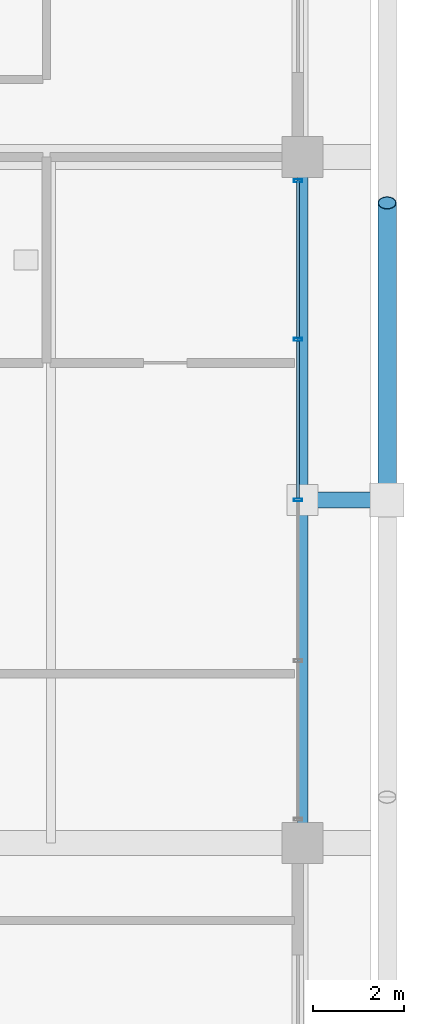
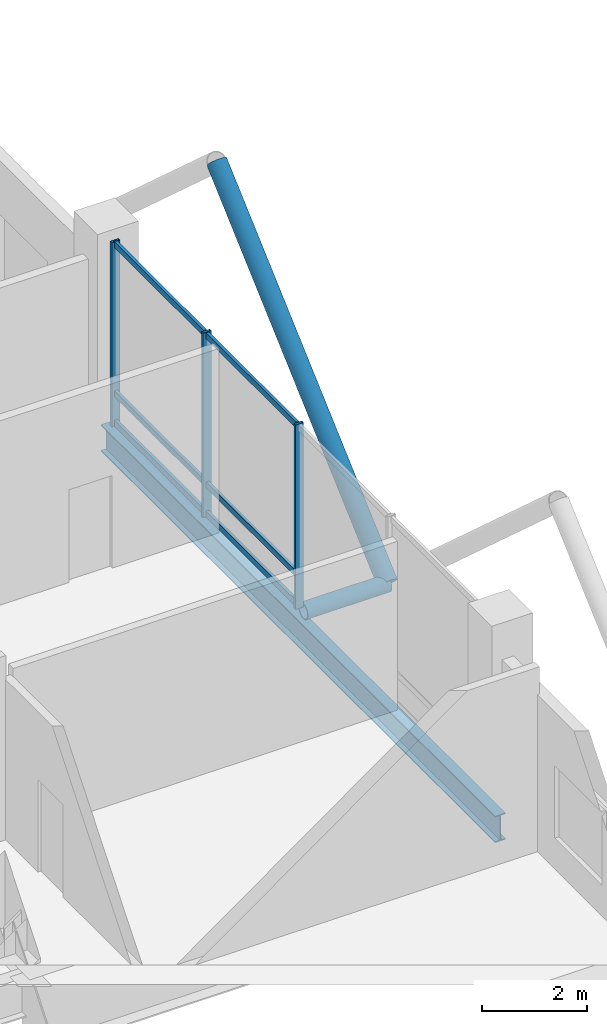
# One storey, part 14 of 27: 11 members, 1 beam, 1 element without a shape of its own.
"""IFC4 building model written with IfcOpenShell, lengths in metres."""

import ifcopenshell
import ifcopenshell.guid

model = None  # the IFC model being written
_history = None  # IfcOwnerHistory: only IFC2X3 demands one
_inside = {}  # id of a spatial element -> (the spatial element, [elements in it])
_under = {}  # id of a project, library or spatial element -> (it, [spatial elements below it])
_declared = {}  # id of a project -> (the project, [libraries it declares])
_typed = {}  # id of a type object -> (the type object, [elements of that type])
_made_of = {}  # id of a material, layer set ... -> (it, [elements and type objects made of it])


def new_model(schema):
    """Start an empty IFC model of exactly this schema.

    Asked for "IFC4X3", IfcOpenShell would pick the latest addendum, in which some entities
    have other attributes; the version numbers below select the first issue.
    IFC2X3 requires an IfcOwnerHistory on every rooted entity: one is made here for all.
    """
    global model, _history
    if schema == "IFC4X3":
        model = ifcopenshell.file(schema_version=(4, 3, 0, 0))
    else:
        model = ifcopenshell.file(schema=schema)
    _inside.clear()
    _under.clear()
    _declared.clear()
    _typed.clear()
    _made_of.clear()
    _history = None
    if model.schema == "IFC2X3":
        org = make("IfcOrganization", Name="unknown")
        user = make(
            "IfcPersonAndOrganization",
            ThePerson=make("IfcPerson", FamilyName="unknown"),
            TheOrganization=org,
        )
        app = make(
            "IfcApplication",
            ApplicationDeveloper=org,
            Version="unknown",
            ApplicationFullName="unknown",
            ApplicationIdentifier="unknown",
        )
        _history = make(
            "IfcOwnerHistory",
            OwningUser=user,
            OwningApplication=app,
            ChangeAction="ADDED",
            CreationDate=0,
        )
    return model


def make(cls, **values):
    """One entity of the class cls with the attributes given. An attribute that is None is left unset."""
    return model.create_entity(
        cls, **{name: value for name, value in values.items() if value is not None}
    )


def rooted(cls, **values):
    """An entity with a GlobalId (a new one), such as an element, a storey or a relation."""
    return make(cls, GlobalId=ifcopenshell.guid.new(), OwnerHistory=_history, **values)


def si_unit(unit_type, name, prefix=None):
    """IfcSIUnit, for example si_unit("LENGTHUNIT", "METRE", prefix="MILLI")."""
    return make("IfcSIUnit", UnitType=unit_type, Prefix=prefix, Name=name)


def assignment(units):
    """IfcUnitAssignment: the units of a project."""
    return None if units is None else make("IfcUnitAssignment", Units=units)


def point(xyz):
    """IfcCartesianPoint."""
    return None if xyz is None else make("IfcCartesianPoint", Coordinates=xyz)


def direction(xyz):
    """IfcDirection."""
    return None if xyz is None else make("IfcDirection", DirectionRatios=xyz)


def frame(location, z_axis=None, x_axis=None):
    """IfcAxis2Placement3D, a coordinate frame: its origin and axes. An axis left out is left unset."""
    return make(
        "IfcAxis2Placement3D",
        Location=point(location),
        Axis=direction(z_axis),
        RefDirection=direction(x_axis),
    )


def frame_2d(location, x_axis=None):
    """IfcAxis2Placement2D, a coordinate frame in the plane: its origin and x axis."""
    return make(
        "IfcAxis2Placement2D", Location=point(location), RefDirection=direction(x_axis)
    )


def origin():
    """The frame at (0, 0, 0) with its axes left unset."""
    return frame((0.0, 0.0, 0.0))


def origin_2d():
    """The frame at (0, 0) in the plane with its x axis left unset."""
    return frame_2d((0.0, 0.0))


def place(relative_to, where):
    """IfcLocalPlacement: puts the frame where relative to a parent placement (None: the world)."""
    return make(
        "IfcLocalPlacement", PlacementRelTo=relative_to, RelativePlacement=where
    )


def context(
    kind, dimensions, precision=None, world=None, true_north=None, identifier=None
):
    """IfcGeometricRepresentationContext, for example the 3D "Model" context."""
    return make(
        "IfcGeometricRepresentationContext",
        ContextIdentifier=identifier,
        ContextType=kind,
        CoordinateSpaceDimension=dimensions,
        Precision=precision,
        WorldCoordinateSystem=world,
        TrueNorth=true_north,
    )


def subcontext(parent, identifier, kind, view, scale=None):
    """IfcGeometricRepresentationSubContext, for example "Body" below "Model"."""
    return make(
        "IfcGeometricRepresentationSubContext",
        ContextIdentifier=identifier,
        ContextType=kind,
        ParentContext=parent,
        TargetScale=scale,
        TargetView=view,
    )


def project(units=None, contexts=None):
    """IfcProject with its units and contexts."""
    return rooted(
        "IfcProject",
        Name="project",
        RepresentationContexts=contexts,
        UnitsInContext=assignment(units),
    )


def spatial(cls, under=None, at=None, **own):
    """A site, building, storey or space (cls), placed at a placement, below another one or the project."""
    s = rooted(cls, ObjectPlacement=at, **own)
    if under is not None:
        _under.setdefault(under.id(), (under, []))[1].append(s)
    return s


def profile(cls, at=None, kind="AREA", **sizes):
    """A parametric profile (cls). Its sizes go by their IFC names, for example OverallWidth=200.0."""
    return make(cls, ProfileType=kind, Position=at, **sizes)


def hollow_rectangle(**sizes):
    """IfcRectangleHollowProfileDef."""
    return profile("IfcRectangleHollowProfileDef", **sizes)


def hollow_circle(**sizes):
    """IfcCircleHollowProfileDef."""
    return profile("IfcCircleHollowProfileDef", **sizes)


def i_section(**sizes):
    """IfcIShapeProfileDef."""
    return profile("IfcIShapeProfileDef", **sizes)


def extrude(swept, where, along, depth):
    """IfcExtrudedAreaSolid: the profile swept, set in the frame where, extruded along a direction by depth."""
    return make(
        "IfcExtrudedAreaSolid",
        SweptArea=swept,
        Position=where,
        ExtrudedDirection=direction(along),
        Depth=depth,
    )


def shape(context_of_items, identifier, shape_type, items):
    """IfcShapeRepresentation: the items that make up one representation, for example the "Body"."""
    return make(
        "IfcShapeRepresentation",
        ContextOfItems=context_of_items,
        RepresentationIdentifier=identifier,
        RepresentationType=shape_type,
        Items=items,
    )


def material(Name=None, Category=None):
    """IfcMaterial."""
    return make("IfcMaterial", Name=Name, Category=Category)


def layer(
    of_material, thickness, ventilated=None, Name=None, Category=None, Priority=None
):
    """IfcMaterialLayer: one layer of a wall or slab, of a material (None: an air gap)."""
    return make(
        "IfcMaterialLayer",
        Material=of_material,
        LayerThickness=thickness,
        IsVentilated=ventilated,
        Name=Name,
        Category=Category,
        Priority=Priority,
    )


def layer_set(layers, Name=None):
    """IfcMaterialLayerSet."""
    return make("IfcMaterialLayerSet", MaterialLayers=layers, LayerSetName=Name)


def material_profile(
    of_material, cross_section, Name=None, Category=None, Priority=None
):
    """IfcMaterialProfile: a cross section and its material."""
    return make(
        "IfcMaterialProfile",
        Name=Name,
        Material=of_material,
        Profile=cross_section,
        Priority=Priority,
        Category=Category,
    )


def profile_set(profiles, Name=None, composite=None):
    """IfcMaterialProfileSet."""
    return make(
        "IfcMaterialProfileSet",
        Name=Name,
        MaterialProfiles=profiles,
        CompositeProfile=composite,
    )


def made_of(thing, what):
    """Note that an element or type object is made of a material, layer set ...; save() writes the relation."""
    if what is not None:
        _made_of.setdefault(what.id(), (what, []))[1].append(thing)
    return thing


def type_object(cls, material=None, **own):
    """A type object (cls), such as IfcWallType, which elements share."""
    return made_of(rooted(cls, **own), material)


def element(
    cls,
    number,
    at=None,
    inside=None,
    cuts=None,
    type_object=None,
    material=None,
    context=None,
    identifier="Body",
    shape_type=None,
    held_by="IfcProductDefinitionShape",
    body=None,
    shapes=None,
    **own,
):
    """One element of the class cls, such as IfcWall. Its Tag is "e" and its number.

    at: its placement. inside: the storey or other place that contains it. cuts: it is an
    opening in that element (IfcRelVoidsElement). A single representation is given by context,
    identifier, shape_type and body (its items); several are given by shapes. held_by: the class
    of the entity that holds the representations. save() writes the other relations.
    """
    e = rooted(cls, Tag="e%d" % number, ObjectPlacement=at, **own)
    if body is not None:
        shapes = [shape(context, identifier, shape_type, body)]
    if shapes is not None:
        e.Representation = make(held_by, Representations=shapes)
    if inside is not None:
        _inside.setdefault(inside.id(), (inside, []))[1].append(e)
    if cuts is not None:
        rooted(
            "IfcRelVoidsElement", RelatingBuildingElement=cuts, RelatedOpeningElement=e
        )
    if type_object is not None:
        _typed.setdefault(type_object.id(), (type_object, []))[1].append(e)
    return made_of(e, material)


def aggregate(whole, parts):
    """IfcRelAggregates: a whole, such as a stair, and the parts it consists of."""
    return rooted("IfcRelAggregates", RelatingObject=whole, RelatedObjects=parts)


def save(model, path):
    """Write the relations noted so far, then the file.

    IfcRelAggregates (storeys below a building ...), IfcRelContainedInSpatialStructure (elements
    in a storey), IfcRelDefinesByType, IfcRelAssociatesMaterial and IfcRelDeclares: one each for
    every whole, place, type object, material and project.
    """
    for whole, parts in _under.values():
        aggregate(whole, parts)
    for where, things in _inside.values():
        rooted(
            "IfcRelContainedInSpatialStructure",
            RelatedElements=things,
            RelatingStructure=where,
        )
    for kind, things in _typed.values():
        rooted("IfcRelDefinesByType", RelatedObjects=things, RelatingType=kind)
    for what, things in _made_of.values():
        rooted("IfcRelAssociatesMaterial", RelatedObjects=things, RelatingMaterial=what)
    for by, libraries in _declared.values():
        rooted("IfcRelDeclares", RelatingContext=by, RelatedDefinitions=libraries)
    model.write(path)


model = new_model("IFC4")

# Units and contexts
model_context = context("Model", 3, precision=1e-05, world=origin(), true_north=direction((0.0, 1.0)))
body_context = subcontext(model_context, "Body", "Model", "MODEL_VIEW")
ifc_project = project(units=[si_unit("LENGTHUNIT", "METRE"), si_unit("AREAUNIT", "SQUARE_METRE"), si_unit("VOLUMEUNIT", "CUBIC_METRE"), si_unit("PLANEANGLEUNIT", "RADIAN"), si_unit("MASSUNIT", "GRAM", prefix="KILO")], contexts=[model_context])

# Site, building, storey
site_placement = place(None, origin())
site = spatial("IfcSite", under=ifc_project, at=site_placement, CompositionType="ELEMENT")
building_placement = place(site_placement, origin())
building = spatial("IfcBuilding", under=site, at=building_placement, Name="Barlavira Tower and Art Museum", CompositionType="ELEMENT")
storey_placement = place(building_placement, frame((0.0, 0.0, 217.800048828125)))
storey = spatial("IfcBuildingStorey", under=building, at=storey_placement, Name="L56", CompositionType="ELEMENT", Elevation=217.800048828125)

# Curtain wall, members
ifc_material_1 = material(Name="Low-iron coastal laminated glass", Category="glass")
ifc_layer = layer(ifc_material_1, 0.2099609375, Name="Low-iron coastal laminated glass")
ifc_layer_set = layer_set([ifc_layer], Name="Low-iron coastal laminated glass")
curtain_wall_type = type_object("IfcCurtainWallType", Name="Pale-Metal Unitised Curtain Wall Zone 4", PredefinedType="NOTDEFINED", material=ifc_layer_set)
curtain_wall_placement = place(storey_placement, origin())
curtain_wall = element("IfcCurtainWall", 1, at=curtain_wall_placement, inside=storey, type_object=curtain_wall_type, Name="L56 Curtain Wall CW4-L56-E-B3", PredefinedType="NOTDEFINED")
ifc_material_2 = material(Name="Pale anodised aluminium", Category="aluminium")
ifc_material_profile_1 = material_profile(ifc_material_2, hollow_rectangle(XDim=0.06494140625, YDim=0.179931640625, WallThickness=0.00390625, at=origin_2d()), Name="ALU-MULL 65x180x4")
ifc_profile_set_1 = profile_set([ifc_material_profile_1], Name="Pale anodised aluminium")
member_type_1 = type_object("IfcMemberType", Name="Curtain Wall Pale-Metal Mullion 65x180", PredefinedType="MULLION", material=ifc_profile_set_1)
member_1_placement = place(storey_placement, frame((16.89990234375, 0.0, 0.0), z_axis=(0.0, 0.0, 1.0), x_axis=(0.0, 1.0, 0.0)))
member_1 = element("IfcMember", 2, at=member_1_placement, type_object=member_type_1, Name="CW4-L56-E-B3 Mullion 2", PredefinedType="MULLION", context=body_context, shape_type="SweptSolid", body=[
    extrude(hollow_rectangle(XDim=0.06494140625, YDim=0.179931640625, WallThickness=0.00390625, at=origin_2d()), origin(), (0.0, 0.0, 1.0), 4.280029296875),
])
member_2_placement = place(storey_placement, frame((16.89990234375, 3.514892578125, 0.0), z_axis=(0.0, 0.0, 1.0), x_axis=(0.0, 1.0, 0.0)))
member_2 = element("IfcMember", 3, at=member_2_placement, type_object=member_type_1, Name="CW4-L56-E-B3 Mullion 3", PredefinedType="MULLION", context=body_context, shape_type="SweptSolid", body=[
    extrude(hollow_rectangle(XDim=0.06494140625, YDim=0.179931640625, WallThickness=0.00390625, at=origin_2d()), origin(), (0.0, 0.0, 1.0), 4.280029296875),
])
member_3_placement = place(storey_placement, frame((16.89990234375, 6.985107421875, 0.0), z_axis=(0.0, 0.0, 1.0), x_axis=(0.0, 1.0, 0.0)))
member_3 = element("IfcMember", 4, at=member_3_placement, type_object=member_type_1, Name="CW4-L56-E-B3 Mullion 4", PredefinedType="MULLION", context=body_context, shape_type="SweptSolid", body=[
    extrude(hollow_rectangle(XDim=0.06494140625, YDim=0.179931640625, WallThickness=0.00390625, at=origin_2d()), origin(), (0.0, 0.0, 1.0), 4.280029296875),
])
ifc_material_profile_2 = material_profile(ifc_material_2, hollow_rectangle(XDim=0.06494140625, YDim=0.139892578125, WallThickness=0.00390625, at=origin_2d()), Name="ALU-TRAN 65x140x4")
ifc_profile_set_2 = profile_set([ifc_material_profile_2], Name="Pale anodised aluminium")
member_type_2 = type_object("IfcMemberType", Name="Curtain Wall Pale-Metal Transom 65x140", PredefinedType="USERDEFINED", material=ifc_profile_set_2)
member_4_placement = place(storey_placement, frame((16.89990234375, 0.044921875, 0.070068359375), z_axis=(0.0, 1.0, 0.0), x_axis=(-1.0, 0.0, 0.0)))
member_4 = element("IfcMember", 5, at=member_4_placement, type_object=member_type_2, Name="CW4-L56-E-B3 Transom 2.1", ObjectType="TRANSOM", PredefinedType="USERDEFINED", context=body_context, shape_type="SweptSolid", body=[
    extrude(hollow_rectangle(XDim=0.06494140625, YDim=0.139892578125, WallThickness=0.00390625, at=origin_2d()), origin(), (0.0, 0.0, 1.0), 3.425048828125),
])
member_5_placement = place(storey_placement, frame((16.89990234375, 0.044921875, 0.75), z_axis=(0.0, 1.0, 0.0), x_axis=(-1.0, 0.0, 0.0)))
member_5 = element("IfcMember", 6, at=member_5_placement, type_object=member_type_2, Name="CW4-L56-E-B3 Transom 2.2", ObjectType="TRANSOM", PredefinedType="USERDEFINED", context=body_context, shape_type="SweptSolid", body=[
    extrude(hollow_rectangle(XDim=0.06494140625, YDim=0.139892578125, WallThickness=0.00390625, at=origin_2d()), origin(), (0.0, 0.0, 1.0), 3.425048828125),
])
member_6_placement = place(storey_placement, frame((16.89990234375, 0.044921875, 4.2099609375), z_axis=(0.0, 1.0, 0.0), x_axis=(-1.0, 0.0, 0.0)))
member_6 = element("IfcMember", 7, at=member_6_placement, type_object=member_type_2, Name="CW4-L56-E-B3 Transom 2.3", ObjectType="TRANSOM", PredefinedType="USERDEFINED", context=body_context, shape_type="SweptSolid", body=[
    extrude(hollow_rectangle(XDim=0.06494140625, YDim=0.139892578125, WallThickness=0.00390625, at=origin_2d()), origin(), (0.0, 0.0, 1.0), 3.425048828125),
])
member_7_placement = place(storey_placement, frame((16.89990234375, 3.56005859375, 0.070068359375), z_axis=(0.0, 1.0, 0.0), x_axis=(-1.0, 0.0, 0.0)))
member_7 = element("IfcMember", 8, at=member_7_placement, type_object=member_type_2, Name="CW4-L56-E-B3 Transom 3.1", ObjectType="TRANSOM", PredefinedType="USERDEFINED", context=body_context, shape_type="SweptSolid", body=[
    extrude(hollow_rectangle(XDim=0.06494140625, YDim=0.139892578125, WallThickness=0.00390625, at=origin_2d()), origin(), (0.0, 0.0, 1.0), 3.425048828125),
])
member_8_placement = place(storey_placement, frame((16.89990234375, 3.56005859375, 0.75), z_axis=(0.0, 1.0, 0.0), x_axis=(-1.0, 0.0, 0.0)))
member_8 = element("IfcMember", 9, at=member_8_placement, type_object=member_type_2, Name="CW4-L56-E-B3 Transom 3.2", ObjectType="TRANSOM", PredefinedType="USERDEFINED", context=body_context, shape_type="SweptSolid", body=[
    extrude(hollow_rectangle(XDim=0.06494140625, YDim=0.139892578125, WallThickness=0.00390625, at=origin_2d()), origin(), (0.0, 0.0, 1.0), 3.425048828125),
])
member_9_placement = place(storey_placement, frame((16.89990234375, 3.56005859375, 4.2099609375), z_axis=(0.0, 1.0, 0.0), x_axis=(-1.0, 0.0, 0.0)))
member_9 = element("IfcMember", 10, at=member_9_placement, type_object=member_type_2, Name="CW4-L56-E-B3 Transom 3.3", ObjectType="TRANSOM", PredefinedType="USERDEFINED", context=body_context, shape_type="SweptSolid", body=[
    extrude(hollow_rectangle(XDim=0.06494140625, YDim=0.139892578125, WallThickness=0.00390625, at=origin_2d()), origin(), (0.0, 0.0, 1.0), 3.425048828125),
])
aggregate(curtain_wall, [member_1, member_2, member_3, member_4, member_5, member_6, member_7, member_8, member_9])

# Members
ifc_material_3 = material(Name="Steel S355", Category="steel")
ifc_material_profile_3 = material_profile(ifc_material_3, hollow_circle(Radius=0.203125, WallThickness=0.01611328125, at=origin_2d()), Name="CHS 406.4x16.0")
ifc_profile_set_3 = profile_set([ifc_material_profile_3], Name="Steel S355")
member_type_3 = type_object("IfcMemberType", Name="Pale-Metal Exoskeleton Diagrid Tube CHS 406x16 Steel S355", PredefinedType="BRACE", material=ifc_profile_set_3)
member_10_placement = place(storey_placement, frame((18.85009765625, 0.0, -0.1201171875), z_axis=(0.0, 0.743288593472, 0.668970901321), x_axis=(-1.0, 0.0, 0.0)))
element("IfcMember", 11, at=member_10_placement, inside=storey, type_object=member_type_3, Name="L56 Exoskeleton Diagrid Tube E", PredefinedType="BRACE", context=body_context, shape_type="SweptSolid", body=[
    extrude(hollow_circle(Radius=0.203125, WallThickness=0.01611328125, at=origin_2d()), origin(), (0.0, 0.0, 1.0), 8.744873046875),
])
ifc_material_profile_4 = material_profile(ifc_material_3, hollow_circle(Radius=0.177734375, WallThickness=0.01611328125, at=origin_2d()), Name="CHS 355.6x16.0")
ifc_profile_set_4 = profile_set([ifc_material_profile_4], Name="Steel S355")
member_type_4 = type_object("IfcMemberType", Name="Pale-Metal Exoskeleton Tie Strut CHS 356x16 Steel S355", PredefinedType="STRUT", material=ifc_profile_set_4)
member_11_placement = place(storey_placement, frame((18.85009765625, 0.0, -0.1201171875), z_axis=(-1.0, 0.0, 0.0), x_axis=(0.0, -1.0, 0.0)))
element("IfcMember", 12, at=member_11_placement, inside=storey, type_object=member_type_4, Name="L56 Exoskeleton Tie Strut E2", PredefinedType="STRUT", context=body_context, shape_type="SweptSolid", body=[
    extrude(hollow_circle(Radius=0.177734375, WallThickness=0.01611328125, at=origin_2d()), origin(), (0.0, 0.0, 1.0), 1.85009765625),
])

# Beam
ifc_material_profile_5 = material_profile(ifc_material_3, i_section(OverallWidth=0.22998046875, OverallDepth=0.616943359375, WebThickness=0.01318359375, FlangeThickness=0.022216796875, at=origin_2d()), Name="W610x140.0")
ifc_profile_set_5 = profile_set([ifc_material_profile_5], Name="Steel S355")
beam_type = type_object("IfcBeamType", Name="Upper Shaft Spandrel Edge Beam W610x140 Steel S355", PredefinedType="SPANDREL", material=ifc_profile_set_5)
beam_placement = place(storey_placement, frame((17.0, -7.5, -0.608642578125), z_axis=(0.0, 1.0, 0.0), x_axis=(-1.0, 0.0, 0.0)))
element("IfcBeam", 13, at=beam_placement, inside=storey, type_object=beam_type, Name="L56 Spandrel 6", PredefinedType="SPANDREL", context=body_context, shape_type="SweptSolid", body=[
    extrude(i_section(OverallWidth=0.22998046875, OverallDepth=0.616943359375, WebThickness=0.01318359375, FlangeThickness=0.022216796875, at=origin_2d()), origin(), (0.0, 0.0, 1.0), 15.0),
])

save(model, "model.ifc")
